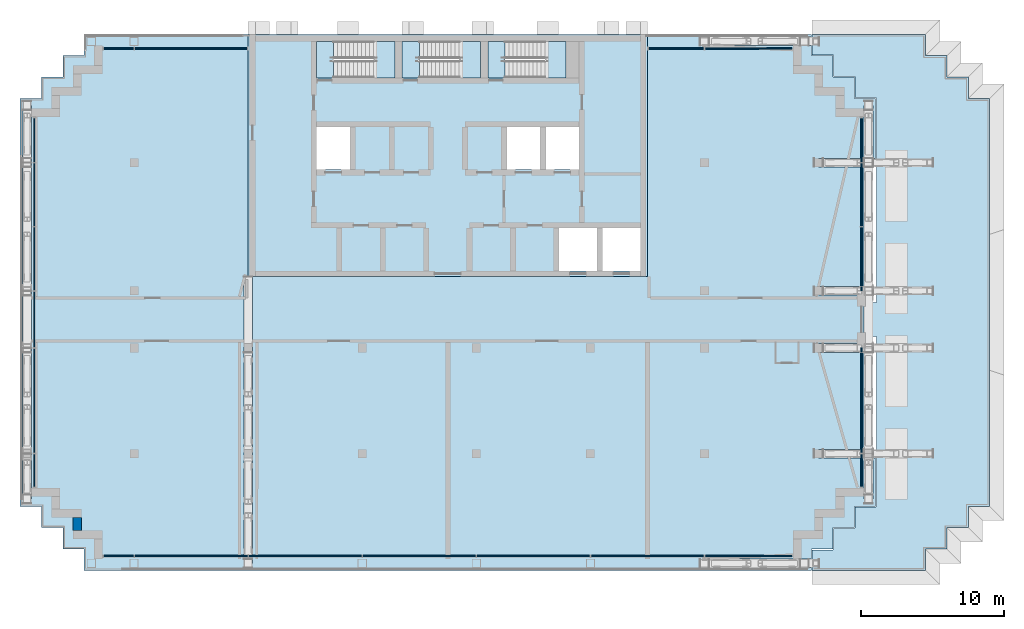
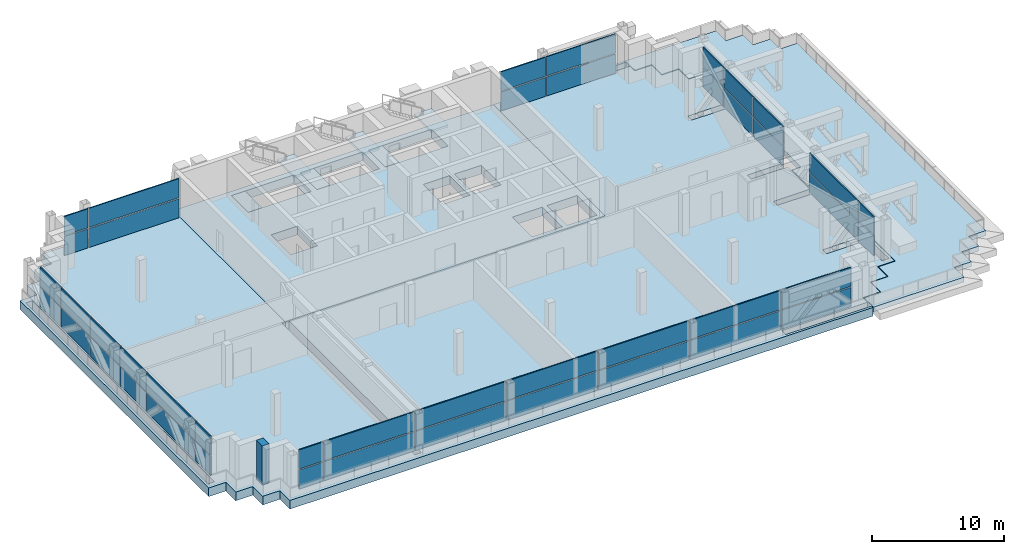
# One storey, part 6 of 21: 44 plates, 9 slabs, 1 wall, 9 elements without a shape of their own.
"""IFC4 building model written with IfcOpenShell, lengths in metres."""

from ifc_helpers import new_model, si_unit, direction, frame, frame_2d, origin, origin_2d, place, context, subcontext, project, spatial, polyline, rectangle, outline, extrude, material, layer, layer_set, type_object, element, aggregate, save


model = new_model("IFC4")

# Units and contexts
model_context = context("Model", 3, precision=1e-05, world=origin(), true_north=direction((0.0, 1.0)))
body_context = subcontext(model_context, "Body", "Model", "MODEL_VIEW")
ifc_project = project(units=[si_unit("LENGTHUNIT", "METRE"), si_unit("AREAUNIT", "SQUARE_METRE"), si_unit("VOLUMEUNIT", "CUBIC_METRE"), si_unit("PLANEANGLEUNIT", "RADIAN"), si_unit("MASSUNIT", "GRAM", prefix="KILO")], contexts=[model_context])

# Site, building, storey
site_placement = place(None, origin())
site = spatial("IfcSite", under=ifc_project, at=site_placement, CompositionType="ELEMENT")
building_placement = place(site_placement, origin())
building = spatial("IfcBuilding", under=site, at=building_placement, Name="Vidyagriha Tower", CompositionType="ELEMENT")
storey_placement = place(building_placement, frame((0.0, 0.0, 203.699951171875)))
storey = spatial("IfcBuildingStorey", under=building, at=storey_placement, Name="L52", CompositionType="ELEMENT", Elevation=203.699951171875)

# Slabs
ifc_material_1 = material(Name="Concrete C60/75", Category="concrete")
ifc_layer_1 = layer(ifc_material_1, 0.800048828125)
ifc_layer_set_1 = layer_set([ifc_layer_1], Name="Concrete C60/75")
slab_type_1 = type_object("IfcSlabType", Name="Core floor slab 800 mm", PredefinedType="FLOOR", material=ifc_layer_set_1)
slab_1_placement = place(storey_placement, frame((0.0, 0.0, -0.800048828125)))
element("IfcSlab", 1, at=slab_1_placement, inside=storey, type_object=slab_type_1, Name="L52 core floor 1", PredefinedType="FLOOR", context=body_context, shape_type="SweptSolid", body=[
    extrude(outline(polyline([(-14.0, 3.0), (-14.0, 20.0), (14.0, 20.0), (14.0, 3.0), (-14.0, 3.0)]), holes=[polyline([(13.5, 6.39990234375), (10.855712890625, 6.39990234375), (10.855712890625, 3.39990234375), (13.5, 3.39990234375), (13.5, 6.39990234375)]), polyline([(10.45556640625, 6.39990234375), (7.81103515625, 6.39990234375), (7.81103515625, 3.39990234375), (10.45556640625, 3.39990234375), (10.45556640625, 6.39990234375)]), polyline([(9.199951171875, 13.5), (6.86669921875, 13.5), (6.86669921875, 10.5), (9.199951171875, 10.5), (9.199951171875, 13.5)]), polyline([(2.800048828125, 19.5), (2.800048828125, 16.949951171875), (4.0, 16.949951171875), (8.300048828125, 16.949951171875), (8.300048828125, 19.5), (4.0, 19.5), (2.800048828125, 19.5)]), polyline([(4.13330078125, 13.5), (4.13330078125, 10.5), (6.466796875, 10.5), (6.466796875, 13.5), (4.13330078125, 13.5)]), polyline([(-2.0, 19.5), (-3.199951171875, 19.5), (-3.199951171875, 16.949951171875), (-2.0, 16.949951171875), (2.300048828125, 16.949951171875), (2.300048828125, 19.5), (-2.0, 19.5)]), polyline([(-9.199951171875, 19.5), (-9.199951171875, 16.949951171875), (-8.0, 16.949951171875), (-3.699951171875, 16.949951171875), (-3.699951171875, 19.5), (-8.0, 19.5), (-9.199951171875, 19.5)]), polyline([(-9.199951171875, 13.5), (-9.199951171875, 10.5), (-6.86669921875, 10.5), (-6.86669921875, 13.5), (-9.199951171875, 13.5)])]), origin(), (0.0, 0.0, 1.0), 0.800048828125),
])
ifc_material_2 = material(Name="Concrete C40/50", Category="concrete")
ifc_layer_2 = layer(ifc_material_2, 0.800048828125)
ifc_layer_set_2 = layer_set([ifc_layer_2], Name="Concrete C40/50")
slab_type_2 = type_object("IfcSlabType", Name="Exit stair floor landing 800 mm", PredefinedType="LANDING", material=ifc_layer_set_2)
slab_2_placement = place(storey_placement, frame((0.0, 0.0, -0.800048828125)))
element("IfcSlab", 2, at=slab_2_placement, inside=storey, type_object=slab_type_2, Name="ST1 floor landing L52", PredefinedType="LANDING", context=body_context, shape_type="SweptSolid", body=[
    extrude(outline(polyline([(-9.199951171875, 16.949951171875), (-8.0, 16.949951171875), (-8.0, 19.5), (-9.199951171875, 19.5), (-9.199951171875, 16.949951171875)])), origin(), (0.0, 0.0, 1.0), 0.800048828125),
])
slab_3_placement = place(storey_placement, frame((0.0, 0.0, -0.800048828125)))
element("IfcSlab", 3, at=slab_3_placement, inside=storey, type_object=slab_type_2, Name="ST2 floor landing L52", PredefinedType="LANDING", context=body_context, shape_type="SweptSolid", body=[
    extrude(outline(polyline([(-3.199951171875, 16.949951171875), (-2.0, 16.949951171875), (-2.0, 19.5), (-3.199951171875, 19.5), (-3.199951171875, 16.949951171875)])), origin(), (0.0, 0.0, 1.0), 0.800048828125),
])
slab_4_placement = place(storey_placement, frame((0.0, 0.0, -0.800048828125)))
element("IfcSlab", 4, at=slab_4_placement, inside=storey, type_object=slab_type_2, Name="ST3 floor landing L52", PredefinedType="LANDING", context=body_context, shape_type="SweptSolid", body=[
    extrude(outline(polyline([(2.800048828125, 16.949951171875), (4.0, 16.949951171875), (4.0, 19.5), (2.800048828125, 19.5), (2.800048828125, 16.949951171875)])), origin(), (0.0, 0.0, 1.0), 0.800048828125),
])

# Stair, slab
ifc_material_3 = material(Name="Concrete C40/50", Category="concrete")
stair_type = type_object("IfcStairType", Name="Exit stair, half-turn, precast flights", PredefinedType="HALF_TURN_STAIR", material=ifc_material_3)
stair_1_placement = place(storey_placement, origin())
stair_1 = element("IfcStair", 5, at=stair_1_placement, inside=storey, type_object=stair_type, Name="L52 Exit Stair ST1", PredefinedType="HALF_TURN_STAIR")
ifc_material_4 = material(Name="Concrete C40/50", Category="concrete")
ifc_layer_3 = layer(ifc_material_4, 0.199951171875)
ifc_layer_set_3 = layer_set([ifc_layer_3], Name="Concrete C40/50")
slab_type_3 = type_object("IfcSlabType", Name="Exit stair landing 200 mm", PredefinedType="LANDING", material=ifc_layer_set_3)
slab_5_placement = place(storey_placement, frame((0.0, 0.0, 1.75)))
slab_5 = element("IfcSlab", 6, at=slab_5_placement, type_object=slab_type_3, Name="ST1 landing 1", PredefinedType="LANDING", context=body_context, shape_type="SweptSolid", body=[
    extrude(outline(polyline([(-5.199951171875, 16.949951171875), (-3.699951171875, 16.949951171875), (-3.699951171875, 19.5), (-5.199951171875, 19.5), (-5.199951171875, 16.949951171875)])), origin(), (0.0, 0.0, 1.0), 0.199951171875),
])
aggregate(stair_1, [slab_5])

stair_2_placement = place(storey_placement, origin())
stair_2 = element("IfcStair", 7, at=stair_2_placement, inside=storey, type_object=stair_type, Name="L52 Exit Stair ST2", PredefinedType="HALF_TURN_STAIR")
slab_6_placement = place(storey_placement, frame((0.0, 0.0, 1.75)))
slab_6 = element("IfcSlab", 8, at=slab_6_placement, type_object=slab_type_3, Name="ST2 landing 1", PredefinedType="LANDING", context=body_context, shape_type="SweptSolid", body=[
    extrude(outline(polyline([(0.800048828125, 16.949951171875), (2.300048828125, 16.949951171875), (2.300048828125, 19.5), (0.800048828125, 19.5), (0.800048828125, 16.949951171875)])), origin(), (0.0, 0.0, 1.0), 0.199951171875),
])
aggregate(stair_2, [slab_6])

stair_3_placement = place(storey_placement, origin())
stair_3 = element("IfcStair", 9, at=stair_3_placement, inside=storey, type_object=stair_type, Name="L52 Exit Stair ST3", PredefinedType="HALF_TURN_STAIR")
slab_7_placement = place(storey_placement, frame((0.0, 0.0, 1.75)))
slab_7 = element("IfcSlab", 10, at=slab_7_placement, type_object=slab_type_3, Name="ST3 landing 1", PredefinedType="LANDING", context=body_context, shape_type="SweptSolid", body=[
    extrude(outline(polyline([(6.800048828125, 16.949951171875), (8.300048828125, 16.949951171875), (8.300048828125, 19.5), (6.800048828125, 19.5), (6.800048828125, 16.949951171875)])), origin(), (0.0, 0.0, 1.0), 0.199951171875),
])
aggregate(stair_3, [slab_7])

# Curtain wall, plates
ifc_material_5 = material(Name="Aluminium and glass curtain wall", Category="aluminium")
curtain_wall_type = type_object("IfcCurtainWallType", Name="Plant louvre wall", PredefinedType="USERDEFINED", material=ifc_material_5)
curtain_wall_1_placement = place(storey_placement, origin())
curtain_wall_1 = element("IfcCurtainWall", 11, at=curtain_wall_1_placement, inside=storey, type_object=curtain_wall_type, Name="CW7 plant louvre wall", ObjectType="STICK GLAZING", PredefinedType="USERDEFINED")
ifc_material_6 = material(Name="Perforated fired clay brick jaali screen", Category="masonry")
ifc_layer_4 = layer(ifc_material_6, 0.10009765625)
ifc_layer_set_4 = layer_set([ifc_layer_4], Name="Perforated fired clay brick jaali screen")
plate_type = type_object("IfcPlateType", Name="Perforated brick jaali screen panel", PredefinedType="CURTAIN_PANEL", material=ifc_layer_set_4)
plate_1_placement = place(storey_placement, frame((21.080078125, 19.0, 0.0), z_axis=(0.0, 0.0, 1.0), x_axis=(-1.0, 0.0, 0.0)))
plate_1 = element("IfcPlate", 12, at=plate_1_placement, type_object=plate_type, Name="CW7 panel 1.1", PredefinedType="CURTAIN_PANEL", context=body_context, shape_type="SweptSolid", body=[
    extrude(rectangle(XDim=6.080078125, YDim=0.10009765625, at=origin_2d()), origin(), (0.0, 0.0, 1.0), 1.760009765625),
])
plate_2_placement = place(storey_placement, frame((21.080078125, 19.0, 1.85986328125), z_axis=(0.0, 0.0, 1.0), x_axis=(-1.0, 0.0, 0.0)))
plate_2 = element("IfcPlate", 13, at=plate_2_placement, type_object=plate_type, Name="CW7 panel 1.2", PredefinedType="CURTAIN_PANEL", context=body_context, shape_type="SweptSolid", body=[
    extrude(rectangle(XDim=6.080078125, YDim=0.10009765625, at=origin_2d()), origin(), (0.0, 0.0, 1.0), 1.760009765625),
])
plate_3_placement = place(storey_placement, frame((16.02001953125, 19.0, 0.0), z_axis=(0.0, 0.0, 1.0), x_axis=(-1.0, 0.0, 0.0)))
plate_3 = element("IfcPlate", 14, at=plate_3_placement, type_object=plate_type, Name="CW7 panel 2.1", PredefinedType="CURTAIN_PANEL", context=body_context, shape_type="SweptSolid", body=[
    extrude(rectangle(XDim=3.8798828125, YDim=0.10009765625, at=origin_2d()), origin(), (0.0, 0.0, 1.0), 1.760009765625),
])
plate_4_placement = place(storey_placement, frame((16.02001953125, 19.0, 1.85986328125), z_axis=(0.0, 0.0, 1.0), x_axis=(-1.0, 0.0, 0.0)))
plate_4 = element("IfcPlate", 15, at=plate_4_placement, type_object=plate_type, Name="CW7 panel 2.2", PredefinedType="CURTAIN_PANEL", context=body_context, shape_type="SweptSolid", body=[
    extrude(rectangle(XDim=3.8798828125, YDim=0.10009765625, at=origin_2d()), origin(), (0.0, 0.0, 1.0), 1.760009765625),
])
aggregate(curtain_wall_1, [plate_1, plate_2, plate_3, plate_4])

curtain_wall_2_placement = place(storey_placement, origin())
curtain_wall_2 = element("IfcCurtainWall", 16, at=curtain_wall_2_placement, inside=storey, type_object=curtain_wall_type, Name="CW7 plant louvre wall", ObjectType="STICK GLAZING", PredefinedType="USERDEFINED")
plate_5_placement = place(storey_placement, frame((-18.02001953125, 19.0, 0.0), z_axis=(0.0, 0.0, 1.0), x_axis=(-1.0, 0.0, 0.0)))
plate_5 = element("IfcPlate", 17, at=plate_5_placement, type_object=plate_type, Name="CW7 panel 1.1", PredefinedType="CURTAIN_PANEL", context=body_context, shape_type="SweptSolid", body=[
    extrude(rectangle(XDim=7.8798828125, YDim=0.10009765625, at=origin_2d()), origin(), (0.0, 0.0, 1.0), 1.760009765625),
])
plate_6_placement = place(storey_placement, frame((-18.02001953125, 19.0, 1.85986328125), z_axis=(0.0, 0.0, 1.0), x_axis=(-1.0, 0.0, 0.0)))
plate_6 = element("IfcPlate", 18, at=plate_6_placement, type_object=plate_type, Name="CW7 panel 1.2", PredefinedType="CURTAIN_PANEL", context=body_context, shape_type="SweptSolid", body=[
    extrude(rectangle(XDim=7.8798828125, YDim=0.10009765625, at=origin_2d()), origin(), (0.0, 0.0, 1.0), 1.760009765625),
])
plate_7_placement = place(storey_placement, frame((-23.080078125, 19.0, 0.0), z_axis=(0.0, 0.0, 1.0), x_axis=(-1.0, 0.0, 0.0)))
plate_7 = element("IfcPlate", 19, at=plate_7_placement, type_object=plate_type, Name="CW7 panel 2.1", PredefinedType="CURTAIN_PANEL", context=body_context, shape_type="SweptSolid", body=[
    extrude(rectangle(XDim=2.080078125, YDim=0.10009765625, at=origin_2d()), origin(), (0.0, 0.0, 1.0), 1.760009765625),
])
plate_8_placement = place(storey_placement, frame((-23.080078125, 19.0, 1.85986328125), z_axis=(0.0, 0.0, 1.0), x_axis=(-1.0, 0.0, 0.0)))
plate_8 = element("IfcPlate", 20, at=plate_8_placement, type_object=plate_type, Name="CW7 panel 2.2", PredefinedType="CURTAIN_PANEL", context=body_context, shape_type="SweptSolid", body=[
    extrude(rectangle(XDim=2.080078125, YDim=0.10009765625, at=origin_2d()), origin(), (0.0, 0.0, 1.0), 1.760009765625),
])
aggregate(curtain_wall_2, [plate_5, plate_6, plate_7, plate_8])

curtain_wall_3_placement = place(storey_placement, origin())
curtain_wall_3 = element("IfcCurtainWall", 21, at=curtain_wall_3_placement, inside=storey, type_object=curtain_wall_type, Name="CW7 plant louvre wall", ObjectType="STICK GLAZING", PredefinedType="USERDEFINED")
plate_9_placement = place(storey_placement, frame((-29.0, 12.580078125, 0.0), z_axis=(0.0, 0.0, 1.0), x_axis=(0.0, -1.0, 0.0)))
plate_9 = element("IfcPlate", 22, at=plate_9_placement, type_object=plate_type, Name="CW7 panel 1.1", PredefinedType="CURTAIN_PANEL", context=body_context, shape_type="SweptSolid", body=[
    extrude(rectangle(XDim=3.080078125, YDim=0.10009765625, at=origin_2d()), origin(), (0.0, 0.0, 1.0), 1.760009765625),
])
plate_10_placement = place(storey_placement, frame((-29.0, 12.580078125, 1.85986328125), z_axis=(0.0, 0.0, 1.0), x_axis=(0.0, -1.0, 0.0)))
plate_10 = element("IfcPlate", 23, at=plate_10_placement, type_object=plate_type, Name="CW7 panel 1.2", PredefinedType="CURTAIN_PANEL", context=body_context, shape_type="SweptSolid", body=[
    extrude(rectangle(XDim=3.080078125, YDim=0.10009765625, at=origin_2d()), origin(), (0.0, 0.0, 1.0), 1.760009765625),
])
plate_11_placement = place(storey_placement, frame((-29.0, 8.75, 0.0), z_axis=(0.0, 0.0, 1.0), x_axis=(0.0, -1.0, 0.0)))
plate_11 = element("IfcPlate", 24, at=plate_11_placement, type_object=plate_type, Name="CW7 panel 2.1", PredefinedType="CURTAIN_PANEL", context=body_context, shape_type="SweptSolid", body=[
    extrude(rectangle(XDim=4.419921875, YDim=0.10009765625, at=origin_2d()), origin(), (0.0, 0.0, 1.0), 1.760009765625),
])
plate_12_placement = place(storey_placement, frame((-29.0, 8.75, 1.85986328125), z_axis=(0.0, 0.0, 1.0), x_axis=(0.0, -1.0, 0.0)))
plate_12 = element("IfcPlate", 25, at=plate_12_placement, type_object=plate_type, Name="CW7 panel 2.2", PredefinedType="CURTAIN_PANEL", context=body_context, shape_type="SweptSolid", body=[
    extrude(rectangle(XDim=4.419921875, YDim=0.10009765625, at=origin_2d()), origin(), (0.0, 0.0, 1.0), 1.760009765625),
])
plate_13_placement = place(storey_placement, frame((-29.0, 4.25, 0.0), z_axis=(0.0, 0.0, 1.0), x_axis=(0.0, -1.0, 0.0)))
plate_13 = element("IfcPlate", 26, at=plate_13_placement, type_object=plate_type, Name="CW7 panel 3.1", PredefinedType="CURTAIN_PANEL", context=body_context, shape_type="SweptSolid", body=[
    extrude(rectangle(XDim=4.419921875, YDim=0.10009765625, at=origin_2d()), origin(), (0.0, 0.0, 1.0), 1.760009765625),
])
plate_14_placement = place(storey_placement, frame((-29.0, 4.25, 1.85986328125), z_axis=(0.0, 0.0, 1.0), x_axis=(0.0, -1.0, 0.0)))
plate_14 = element("IfcPlate", 27, at=plate_14_placement, type_object=plate_type, Name="CW7 panel 3.2", PredefinedType="CURTAIN_PANEL", context=body_context, shape_type="SweptSolid", body=[
    extrude(rectangle(XDim=4.419921875, YDim=0.10009765625, at=origin_2d()), origin(), (0.0, 0.0, 1.0), 1.760009765625),
])
plate_15_placement = place(storey_placement, frame((-29.0, 0.0, 0.0), z_axis=(0.0, 0.0, 1.0), x_axis=(0.0, -1.0, 0.0)))
plate_15 = element("IfcPlate", 28, at=plate_15_placement, type_object=plate_type, Name="CW7 panel 4.1", PredefinedType="CURTAIN_PANEL", context=body_context, shape_type="SweptSolid", body=[
    extrude(rectangle(XDim=3.919921875, YDim=0.10009765625, at=origin_2d()), origin(), (0.0, 0.0, 1.0), 1.760009765625),
])
plate_16_placement = place(storey_placement, frame((-29.0, 0.0, 1.85986328125), z_axis=(0.0, 0.0, 1.0), x_axis=(0.0, -1.0, 0.0)))
plate_16 = element("IfcPlate", 29, at=plate_16_placement, type_object=plate_type, Name="CW7 panel 4.2", PredefinedType="CURTAIN_PANEL", context=body_context, shape_type="SweptSolid", body=[
    extrude(rectangle(XDim=3.919921875, YDim=0.10009765625, at=origin_2d()), origin(), (0.0, 0.0, 1.0), 1.760009765625),
])
plate_17_placement = place(storey_placement, frame((-29.0, -5.699951171875, 0.0), z_axis=(0.0, 0.0, 1.0), x_axis=(0.0, -1.0, 0.0)))
plate_17 = element("IfcPlate", 30, at=plate_17_placement, type_object=plate_type, Name="CW7 panel 5.1", PredefinedType="CURTAIN_PANEL", context=body_context, shape_type="SweptSolid", body=[
    extrude(rectangle(XDim=7.320068359375, YDim=0.10009765625, at=origin_2d()), origin(), (0.0, 0.0, 1.0), 1.760009765625),
])
plate_18_placement = place(storey_placement, frame((-29.0, -5.699951171875, 1.85986328125), z_axis=(0.0, 0.0, 1.0), x_axis=(0.0, -1.0, 0.0)))
plate_18 = element("IfcPlate", 31, at=plate_18_placement, type_object=plate_type, Name="CW7 panel 5.2", PredefinedType="CURTAIN_PANEL", context=body_context, shape_type="SweptSolid", body=[
    extrude(rectangle(XDim=7.320068359375, YDim=0.10009765625, at=origin_2d()), origin(), (0.0, 0.0, 1.0), 1.760009765625),
])
plate_19_placement = place(storey_placement, frame((-29.0, -10.580078125, 0.0), z_axis=(0.0, 0.0, 1.0), x_axis=(0.0, -1.0, 0.0)))
plate_19 = element("IfcPlate", 32, at=plate_19_placement, type_object=plate_type, Name="CW7 panel 6.1", PredefinedType="CURTAIN_PANEL", context=body_context, shape_type="SweptSolid", body=[
    extrude(rectangle(XDim=2.280029296875, YDim=0.10009765625, at=origin_2d()), origin(), (0.0, 0.0, 1.0), 1.760009765625),
])
plate_20_placement = place(storey_placement, frame((-29.0, -10.580078125, 1.85986328125), z_axis=(0.0, 0.0, 1.0), x_axis=(0.0, -1.0, 0.0)))
plate_20 = element("IfcPlate", 33, at=plate_20_placement, type_object=plate_type, Name="CW7 panel 6.2", PredefinedType="CURTAIN_PANEL", context=body_context, shape_type="SweptSolid", body=[
    extrude(rectangle(XDim=2.280029296875, YDim=0.10009765625, at=origin_2d()), origin(), (0.0, 0.0, 1.0), 1.760009765625),
])
aggregate(curtain_wall_3, [plate_9, plate_10, plate_11, plate_12, plate_13, plate_14, plate_15, plate_16, plate_17, plate_18, plate_19, plate_20])

curtain_wall_4_placement = place(storey_placement, origin())
curtain_wall_4 = element("IfcCurtainWall", 34, at=curtain_wall_4_placement, inside=storey, type_object=curtain_wall_type, Name="CW7 plant louvre wall", ObjectType="STICK GLAZING", PredefinedType="USERDEFINED")
plate_21_placement = place(storey_placement, frame((-23.080078125, -16.60009765625, 0.0)))
plate_21 = element("IfcPlate", 35, at=plate_21_placement, type_object=plate_type, Name="CW7 panel 1.1", PredefinedType="CURTAIN_PANEL", context=body_context, shape_type="SweptSolid", body=[
    extrude(rectangle(XDim=2.080078125, YDim=0.10009765625, at=origin_2d()), origin(), (0.0, 0.0, 1.0), 1.760009765625),
])
plate_22_placement = place(storey_placement, frame((-23.080078125, -16.60009765625, 1.85986328125)))
plate_22 = element("IfcPlate", 36, at=plate_22_placement, type_object=plate_type, Name="CW7 panel 1.2", PredefinedType="CURTAIN_PANEL", context=body_context, shape_type="SweptSolid", body=[
    extrude(rectangle(XDim=2.080078125, YDim=0.10009765625, at=origin_2d()), origin(), (0.0, 0.0, 1.0), 1.760009765625),
])
plate_23_placement = place(storey_placement, frame((-18.0, -16.60009765625, 0.0)))
plate_23 = element("IfcPlate", 37, at=plate_23_placement, type_object=plate_type, Name="CW7 panel 2.1", PredefinedType="CURTAIN_PANEL", context=body_context, shape_type="SweptSolid", body=[
    extrude(rectangle(XDim=7.919921875, YDim=0.10009765625, at=origin_2d()), origin(), (0.0, 0.0, 1.0), 1.760009765625),
])
plate_24_placement = place(storey_placement, frame((-18.0, -16.60009765625, 1.85986328125)))
plate_24 = element("IfcPlate", 38, at=plate_24_placement, type_object=plate_type, Name="CW7 panel 2.2", PredefinedType="CURTAIN_PANEL", context=body_context, shape_type="SweptSolid", body=[
    extrude(rectangle(XDim=7.919921875, YDim=0.10009765625, at=origin_2d()), origin(), (0.0, 0.0, 1.0), 1.760009765625),
])
plate_25_placement = place(storey_placement, frame((-10.0, -16.60009765625, 0.0)))
plate_25 = element("IfcPlate", 39, at=plate_25_placement, type_object=plate_type, Name="CW7 panel 3.1", PredefinedType="CURTAIN_PANEL", context=body_context, shape_type="SweptSolid", body=[
    extrude(rectangle(XDim=7.919921875, YDim=0.10009765625, at=origin_2d()), origin(), (0.0, 0.0, 1.0), 1.760009765625),
])
plate_26_placement = place(storey_placement, frame((-10.0, -16.60009765625, 1.85986328125)))
plate_26 = element("IfcPlate", 40, at=plate_26_placement, type_object=plate_type, Name="CW7 panel 3.2", PredefinedType="CURTAIN_PANEL", context=body_context, shape_type="SweptSolid", body=[
    extrude(rectangle(XDim=7.919921875, YDim=0.10009765625, at=origin_2d()), origin(), (0.0, 0.0, 1.0), 1.760009765625),
])
plate_27_placement = place(storey_placement, frame((-2.0, -16.60009765625, 0.0)))
plate_27 = element("IfcPlate", 41, at=plate_27_placement, type_object=plate_type, Name="CW7 panel 4.1", PredefinedType="CURTAIN_PANEL", context=body_context, shape_type="SweptSolid", body=[
    extrude(rectangle(XDim=7.919921875, YDim=0.10009765625, at=origin_2d()), origin(), (0.0, 0.0, 1.0), 1.760009765625),
])
plate_28_placement = place(storey_placement, frame((-2.0, -16.60009765625, 1.85986328125)))
plate_28 = element("IfcPlate", 42, at=plate_28_placement, type_object=plate_type, Name="CW7 panel 4.2", PredefinedType="CURTAIN_PANEL", context=body_context, shape_type="SweptSolid", body=[
    extrude(rectangle(XDim=7.919921875, YDim=0.10009765625, at=origin_2d()), origin(), (0.0, 0.0, 1.0), 1.760009765625),
])
plate_29_placement = place(storey_placement, frame((6.0, -16.60009765625, 0.0)))
plate_29 = element("IfcPlate", 43, at=plate_29_placement, type_object=plate_type, Name="CW7 panel 5.1", PredefinedType="CURTAIN_PANEL", context=body_context, shape_type="SweptSolid", body=[
    extrude(rectangle(XDim=7.919921875, YDim=0.10009765625, at=origin_2d()), origin(), (0.0, 0.0, 1.0), 1.760009765625),
])
plate_30_placement = place(storey_placement, frame((6.0, -16.60009765625, 1.85986328125)))
plate_30 = element("IfcPlate", 44, at=plate_30_placement, type_object=plate_type, Name="CW7 panel 5.2", PredefinedType="CURTAIN_PANEL", context=body_context, shape_type="SweptSolid", body=[
    extrude(rectangle(XDim=7.919921875, YDim=0.10009765625, at=origin_2d()), origin(), (0.0, 0.0, 1.0), 1.760009765625),
])
plate_31_placement = place(storey_placement, frame((14.0, -16.60009765625, 0.0)))
plate_31 = element("IfcPlate", 45, at=plate_31_placement, type_object=plate_type, Name="CW7 panel 6.1", PredefinedType="CURTAIN_PANEL", context=body_context, shape_type="SweptSolid", body=[
    extrude(rectangle(XDim=7.919921875, YDim=0.10009765625, at=origin_2d()), origin(), (0.0, 0.0, 1.0), 1.760009765625),
])
plate_32_placement = place(storey_placement, frame((14.0, -16.60009765625, 1.85986328125)))
plate_32 = element("IfcPlate", 46, at=plate_32_placement, type_object=plate_type, Name="CW7 panel 6.2", PredefinedType="CURTAIN_PANEL", context=body_context, shape_type="SweptSolid", body=[
    extrude(rectangle(XDim=7.919921875, YDim=0.10009765625, at=origin_2d()), origin(), (0.0, 0.0, 1.0), 1.760009765625),
])
plate_33_placement = place(storey_placement, frame((21.080078125, -16.60009765625, 0.0)))
plate_33 = element("IfcPlate", 47, at=plate_33_placement, type_object=plate_type, Name="CW7 panel 7.1", PredefinedType="CURTAIN_PANEL", context=body_context, shape_type="SweptSolid", body=[
    extrude(rectangle(XDim=6.080078125, YDim=0.10009765625, at=origin_2d()), origin(), (0.0, 0.0, 1.0), 1.760009765625),
])
plate_34_placement = place(storey_placement, frame((21.080078125, -16.60009765625, 1.85986328125)))
plate_34 = element("IfcPlate", 48, at=plate_34_placement, type_object=plate_type, Name="CW7 panel 7.2", PredefinedType="CURTAIN_PANEL", context=body_context, shape_type="SweptSolid", body=[
    extrude(rectangle(XDim=6.080078125, YDim=0.10009765625, at=origin_2d()), origin(), (0.0, 0.0, 1.0), 1.760009765625),
])
aggregate(curtain_wall_4, [plate_21, plate_22, plate_23, plate_24, plate_25, plate_26, plate_27, plate_28, plate_29, plate_30, plate_31, plate_32, plate_33, plate_34])

curtain_wall_5_placement = place(storey_placement, origin())
curtain_wall_5 = element("IfcCurtainWall", 49, at=curtain_wall_5_placement, inside=storey, type_object=curtain_wall_type, Name="CW7 plant louvre wall", ObjectType="STICK GLAZING", PredefinedType="USERDEFINED")
plate_35_placement = place(storey_placement, frame((29.0, -10.580078125, 0.0), z_axis=(0.0, 0.0, 1.0), x_axis=(0.0, 1.0, 0.0)))
plate_35 = element("IfcPlate", 50, at=plate_35_placement, type_object=plate_type, Name="CW7 panel 1.1", PredefinedType="CURTAIN_PANEL", context=body_context, shape_type="SweptSolid", body=[
    extrude(rectangle(XDim=2.280029296875, YDim=0.10009765625, at=origin_2d()), origin(), (0.0, 0.0, 1.0), 1.760009765625),
])
plate_36_placement = place(storey_placement, frame((29.0, -10.580078125, 1.85986328125), z_axis=(0.0, 0.0, 1.0), x_axis=(0.0, 1.0, 0.0)))
plate_36 = element("IfcPlate", 51, at=plate_36_placement, type_object=plate_type, Name="CW7 panel 1.2", PredefinedType="CURTAIN_PANEL", context=body_context, shape_type="SweptSolid", body=[
    extrude(rectangle(XDim=2.280029296875, YDim=0.10009765625, at=origin_2d()), origin(), (0.0, 0.0, 1.0), 1.760009765625),
])
plate_37_placement = place(storey_placement, frame((29.0, -5.679931640625, 0.0), z_axis=(0.0, 0.0, 1.0), x_axis=(0.0, 1.0, 0.0)))
plate_37 = element("IfcPlate", 52, at=plate_37_placement, type_object=plate_type, Name="CW7 panel 2.1", PredefinedType="CURTAIN_PANEL", context=body_context, shape_type="SweptSolid", body=[
    extrude(rectangle(XDim=7.360107421875, YDim=0.10009765625, at=origin_2d()), origin(), (0.0, 0.0, 1.0), 1.760009765625),
])
plate_38_placement = place(storey_placement, frame((29.0, -5.679931640625, 1.85986328125), z_axis=(0.0, 0.0, 1.0), x_axis=(0.0, 1.0, 0.0)))
plate_38 = element("IfcPlate", 53, at=plate_38_placement, type_object=plate_type, Name="CW7 panel 2.2", PredefinedType="CURTAIN_PANEL", context=body_context, shape_type="SweptSolid", body=[
    extrude(rectangle(XDim=7.360107421875, YDim=0.10009765625, at=origin_2d()), origin(), (0.0, 0.0, 1.0), 1.760009765625),
])
aggregate(curtain_wall_5, [plate_35, plate_36, plate_37, plate_38])

curtain_wall_6_placement = place(storey_placement, origin())
curtain_wall_6 = element("IfcCurtainWall", 54, at=curtain_wall_6_placement, inside=storey, type_object=curtain_wall_type, Name="CW7 plant louvre wall", ObjectType="STICK GLAZING", PredefinedType="USERDEFINED")
plate_39_placement = place(storey_placement, frame((29.0, 4.22998046875, 0.0), z_axis=(0.0, 0.0, 1.0), x_axis=(0.0, 1.0, 0.0)))
plate_39 = element("IfcPlate", 55, at=plate_39_placement, type_object=plate_type, Name="CW7 panel 1.1", PredefinedType="CURTAIN_PANEL", context=body_context, shape_type="SweptSolid", body=[
    extrude(rectangle(XDim=4.4599609375, YDim=0.10009765625, at=origin_2d()), origin(), (0.0, 0.0, 1.0), 1.760009765625),
])
plate_40_placement = place(storey_placement, frame((29.0, 4.22998046875, 1.85986328125), z_axis=(0.0, 0.0, 1.0), x_axis=(0.0, 1.0, 0.0)))
plate_40 = element("IfcPlate", 56, at=plate_40_placement, type_object=plate_type, Name="CW7 panel 1.2", PredefinedType="CURTAIN_PANEL", context=body_context, shape_type="SweptSolid", body=[
    extrude(rectangle(XDim=4.4599609375, YDim=0.10009765625, at=origin_2d()), origin(), (0.0, 0.0, 1.0), 1.760009765625),
])
plate_41_placement = place(storey_placement, frame((29.0, 8.75, 0.0), z_axis=(0.0, 0.0, 1.0), x_axis=(0.0, 1.0, 0.0)))
plate_41 = element("IfcPlate", 57, at=plate_41_placement, type_object=plate_type, Name="CW7 panel 2.1", PredefinedType="CURTAIN_PANEL", context=body_context, shape_type="SweptSolid", body=[
    extrude(rectangle(XDim=4.419921875, YDim=0.10009765625, at=origin_2d()), origin(), (0.0, 0.0, 1.0), 1.760009765625),
])
plate_42_placement = place(storey_placement, frame((29.0, 8.75, 1.85986328125), z_axis=(0.0, 0.0, 1.0), x_axis=(0.0, 1.0, 0.0)))
plate_42 = element("IfcPlate", 58, at=plate_42_placement, type_object=plate_type, Name="CW7 panel 2.2", PredefinedType="CURTAIN_PANEL", context=body_context, shape_type="SweptSolid", body=[
    extrude(rectangle(XDim=4.419921875, YDim=0.10009765625, at=origin_2d()), origin(), (0.0, 0.0, 1.0), 1.760009765625),
])
plate_43_placement = place(storey_placement, frame((29.0, 12.580078125, 0.0), z_axis=(0.0, 0.0, 1.0), x_axis=(0.0, 1.0, 0.0)))
plate_43 = element("IfcPlate", 59, at=plate_43_placement, type_object=plate_type, Name="CW7 panel 3.1", PredefinedType="CURTAIN_PANEL", context=body_context, shape_type="SweptSolid", body=[
    extrude(rectangle(XDim=3.080078125, YDim=0.10009765625, at=origin_2d()), origin(), (0.0, 0.0, 1.0), 1.760009765625),
])
plate_44_placement = place(storey_placement, frame((29.0, 12.580078125, 1.85986328125), z_axis=(0.0, 0.0, 1.0), x_axis=(0.0, 1.0, 0.0)))
plate_44 = element("IfcPlate", 60, at=plate_44_placement, type_object=plate_type, Name="CW7 panel 3.2", PredefinedType="CURTAIN_PANEL", context=body_context, shape_type="SweptSolid", body=[
    extrude(rectangle(XDim=3.080078125, YDim=0.10009765625, at=origin_2d()), origin(), (0.0, 0.0, 1.0), 1.760009765625),
])
aggregate(curtain_wall_6, [plate_39, plate_40, plate_41, plate_42, plate_43, plate_44])

# Slabs
ifc_material_7 = material(Name="Concrete C50/60", Category="concrete")
ifc_layer_5 = layer(ifc_material_7, 0.449951171875)
ifc_layer_set_5 = layer_set([ifc_layer_5], Name="Concrete C50/60")
slab_type_4 = type_object("IfcSlabType", Name="Post-tensioned terrace slab 450", PredefinedType="FLOOR", material=ifc_layer_set_5)
slab_8_placement = place(storey_placement, frame((0.0, 0.0, -0.449951171875)))
element("IfcSlab", 61, at=slab_8_placement, inside=storey, type_object=slab_type_4, Name="st-terrace-TR-B5-1", PredefinedType="FLOOR", context=body_context, shape_type="SweptSolid", body=[
    extrude(outline(polyline([(30.050048828125, 1.199951171875), (30.050048828125, 15.5), (30.049072265625, 15.509765625), (30.046142578125, 15.51904296875), (30.04150390625, 15.52783203125), (30.035400390625, 15.535400390625), (30.03173828125, 15.538818359375), (30.01904296875, 15.546142578125), (30.009765625, 15.549072265625), (30.0, 15.550048828125), (28.550048828125, 15.550048828125), (28.550048828125, 17.0), (28.5498046875, 17.0048828125), (28.5478515625, 17.014404296875), (28.54150390625, 17.02783203125), (28.535400390625, 17.035400390625), (28.523681640625, 17.044189453125), (28.509765625, 17.049072265625), (28.5, 17.050048828125), (27.050048828125, 17.050048828125), (27.050048828125, 18.5), (27.049072265625, 18.509765625), (27.044189453125, 18.523681640625), (27.035400390625, 18.535400390625), (27.02783203125, 18.54150390625), (27.014404296875, 18.5478515625), (27.0048828125, 18.5498046875), (27.0, 18.550048828125), (25.550048828125, 18.550048828125), (25.550048828125, 20.0), (33.5, 20.0), (33.5, 18.5), (35.0, 18.5), (35.0, 17.0), (36.5, 17.0), (36.5, 15.5), (38.0, 15.5), (38.0, -13.10009765625), (36.5, -13.10009765625), (36.5, -14.60009765625), (35.0, -14.60009765625), (35.0, -16.10009765625), (33.5, -16.10009765625), (33.5, -17.60009765625), (25.550048828125, -17.60009765625), (25.550048828125, -16.14990234375), (27.0, -16.14990234375), (27.0048828125, -16.14990234375), (27.014404296875, -16.147705078125), (27.02783203125, -16.1416015625), (27.035400390625, -16.135498046875), (27.044189453125, -16.12353515625), (27.049072265625, -16.10986328125), (27.050048828125, -16.10009765625), (27.050048828125, -14.64990234375), (28.5, -14.64990234375), (28.509765625, -14.64892578125), (28.523681640625, -14.64404296875), (28.535400390625, -14.635498046875), (28.54150390625, -14.627685546875), (28.5478515625, -14.614501953125), (28.5498046875, -14.60498046875), (28.550048828125, -14.60009765625), (28.550048828125, -13.14990234375), (30.0, -13.14990234375), (30.009765625, -13.14892578125), (30.01904296875, -13.146240234375), (30.03173828125, -13.138671875), (30.035400390625, -13.135498046875), (30.04150390625, -13.127685546875), (30.046142578125, -13.119140625), (30.049072265625, -13.10986328125), (30.050048828125, -13.10009765625), (30.050048828125, -1.199951171875), (29.300048828125, -1.199951171875), (29.300048828125, 1.199951171875), (30.050048828125, 1.199951171875)])), origin(), (0.0, 0.0, 1.0), 0.449951171875),
])
ifc_material_8 = material(Name="Concrete C50/60", Category="concrete")
ifc_layer_6 = layer(ifc_material_8, 0.800048828125)
ifc_layer_set_6 = layer_set([ifc_layer_6], Name="Concrete C50/60")
slab_type_5 = type_object("IfcSlabType", Name="Post-tensioned transfer deck 800", PredefinedType="FLOOR", material=ifc_layer_set_6)
slab_9_placement = place(storey_placement, frame((0.0, 0.0, -0.800048828125)))
element("IfcSlab", 62, at=slab_9_placement, inside=storey, type_object=slab_type_5, Name="st-slab-L52-1", PredefinedType="FLOOR", context=body_context, shape_type="SweptSolid", body=[
    extrude(outline(polyline([(27.0, -14.60009765625), (27.0, -16.10009765625), (25.5, -16.10009765625), (25.5, -16.800048828125), (18.0, -16.800048828125), (18.0, -17.39990234375), (25.5, -17.39990234375), (25.5, -17.60009765625), (-25.5, -17.60009765625), (-25.5, -16.10009765625), (-27.0, -16.10009765625), (-27.0, -14.60009765625), (-28.5, -14.60009765625), (-28.5, -13.10009765625), (-30.0, -13.10009765625), (-30.0, 15.5), (-28.5, 15.5), (-28.5, 17.0), (-27.0, 17.0), (-27.0, 18.5), (-25.5, 18.5), (-25.5, 20.0), (-14.0, 20.0), (-14.0, 3.0), (-14.300048828125, 3.0), (-14.300048828125, -17.10009765625), (-13.699951171875, -17.10009765625), (-13.699951171875, 3.0), (14.0, 3.0), (14.0, 20.0), (25.5, 20.0), (25.5, 19.800048828125), (18.0, 19.800048828125), (18.0, 19.199951171875), (25.5, 19.199951171875), (25.5, 18.5), (27.0, 18.5), (27.0, 17.0), (28.5, 17.0), (28.5, 15.5), (30.0, 15.5), (30.0, 11.300048828125), (29.800048828125, 11.300048828125), (29.800048828125, 15.0), (29.199951171875, 15.0), (29.199951171875, 11.300048828125), (26.0, 11.300048828125), (26.0, 10.699951171875), (29.199951171875, 10.699951171875), (29.199951171875, 2.300048828125), (26.0, 2.300048828125), (26.0, 1.699951171875), (29.199951171875, 1.699951171875), (29.199951171875, -1.699951171875), (26.0, -1.699951171875), (26.0, -2.300048828125), (29.199951171875, -2.300048828125), (29.199951171875, -9.10009765625), (26.0, -9.10009765625), (26.0, -9.699951171875), (29.199951171875, -9.699951171875), (29.199951171875, -12.60009765625), (29.800048828125, -12.60009765625), (29.800048828125, -9.699951171875), (30.0, -9.699951171875), (30.0, -13.10009765625), (28.5, -13.10009765625), (28.5, -14.60009765625), (27.0, -14.60009765625)]), holes=[polyline([(-29.199951171875, -12.60009765625), (-29.199951171875, 15.0), (-29.800048828125, 15.0), (-29.800048828125, -12.60009765625), (-29.199951171875, -12.60009765625)])]), origin(), (0.0, 0.0, 1.0), 0.800048828125),
])

# Wall
ifc_material_9 = material(Name="Precast concrete C40/50 with brick facing", Category="concrete")
ifc_layer_7 = layer(ifc_material_9, 0.60009765625)
ifc_layer_set_7 = layer_set([ifc_layer_7], Name="Precast concrete C40/50 with brick facing")
wall_type = type_object("IfcWallType", Name="Brick-faced precast wall 600", PredefinedType="STANDARD", material=ifc_layer_set_7)
wall_placement = place(storey_placement, frame((-26.0, -13.89990234375, 0.0), z_axis=(0.0, 0.0, 1.0), x_axis=(0.0, -1.0, 0.0)))
element("IfcWall", 63, at=wall_placement, inside=storey, type_object=wall_type, Name="Stepped corner wall L52 R20", PredefinedType="STANDARD", context=body_context, shape_type="SweptSolid", body=[
    extrude(rectangle(XDim=0.900146484375, YDim=0.60009765625, at=frame_2d((0.4501953125, 0.0))), origin(), (0.0, 0.0, 1.0), 3.6201171875),
])

save(model, "model.ifc")
